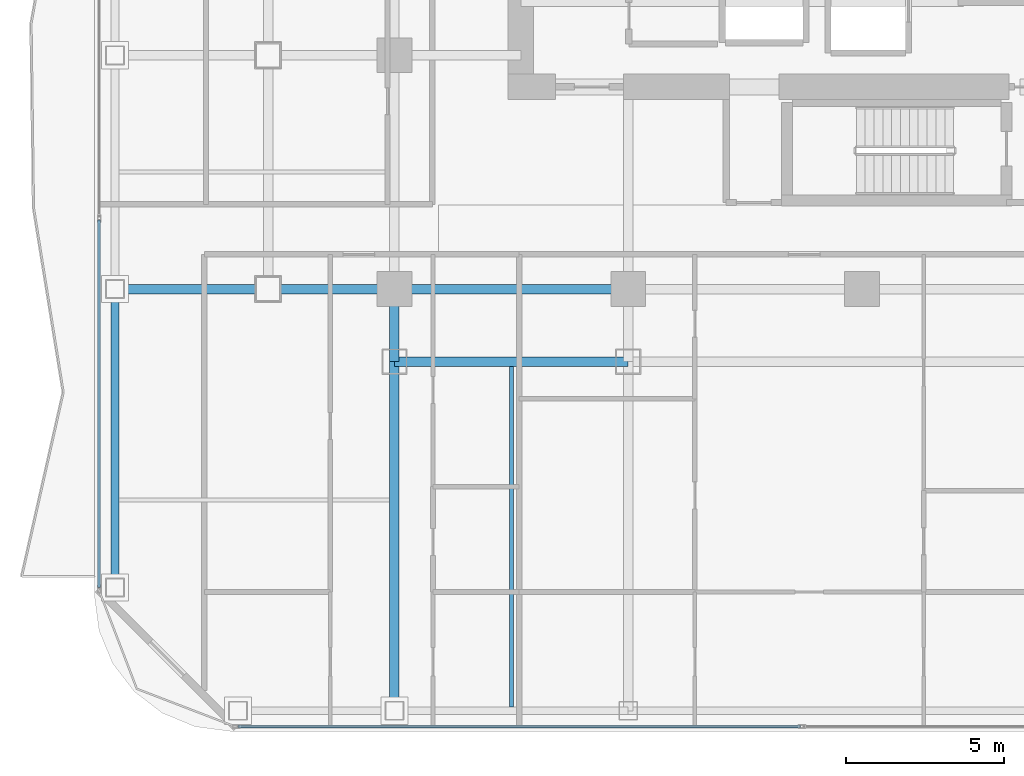
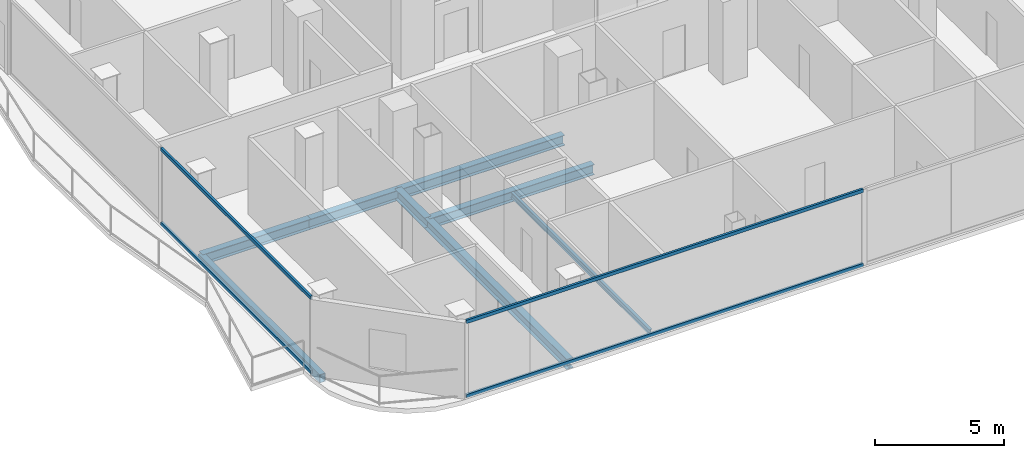
# One storey, part 3 of 24: 8 beams, 4 members, 2 elements without a shape of their own.
"""IFC4 building model written with IfcOpenShell, lengths in metres."""

from ifc_helpers import new_model, si_unit, direction, frame, origin, origin_2d, place, context, subcontext, project, spatial, hollow_rectangle, i_section, extrude, material, layer, layer_set, material_profile, profile_set, type_object, element, aggregate, save


model = new_model("IFC4")

# Units and contexts
model_context = context("Model", 3, precision=1e-05, world=origin(), true_north=direction((0.0, 1.0)))
body_context = subcontext(model_context, "Body", "Model", "MODEL_VIEW")
ifc_project = project(units=[si_unit("LENGTHUNIT", "METRE"), si_unit("AREAUNIT", "SQUARE_METRE"), si_unit("VOLUMEUNIT", "CUBIC_METRE"), si_unit("PLANEANGLEUNIT", "RADIAN"), si_unit("MASSUNIT", "GRAM", prefix="KILO")], contexts=[model_context])

# Site, building, storey
site_placement = place(None, origin())
site = spatial("IfcSite", under=ifc_project, at=site_placement, CompositionType="ELEMENT")
building_placement = place(site_placement, origin())
building = spatial("IfcBuilding", under=site, at=building_placement, Name="Khorvyn Point Tower", CompositionType="ELEMENT")
storey_placement = place(building_placement, frame((0.0, 0.0, 215.699951171875)))
storey = spatial("IfcBuildingStorey", under=building, at=storey_placement, Name="L53", CompositionType="ELEMENT", Elevation=215.699951171875)

# Curtain wall, members
ifc_material_1 = material(Name="Anodised aluminium 6063-T6 and laminated Low-E glass", Category="aluminium")
ifc_layer = layer(ifc_material_1, 0.18994140625)
ifc_layer_set = layer_set([ifc_layer], Name="Stick-Built Acoustic Curtain Wall CW-SYS-03")
curtain_wall_type = type_object("IfcCurtainWallType", Name="Stick-Built Acoustic Curtain Wall CW-SYS-03", PredefinedType="NOTDEFINED", material=ifc_layer_set)
curtain_wall_1_placement = place(storey_placement, origin())
curtain_wall_1 = element("IfcCurtainWall", 1, at=curtain_wall_1_placement, inside=storey, type_object=curtain_wall_type, Name="Curtain Wall", PredefinedType="NOTDEFINED")
ifc_material_2 = material(Name="Anodised aluminium 6063-T6", Category="aluminium")
ifc_material_profile_1 = material_profile(ifc_material_2, hollow_rectangle(XDim=0.10009765625, YDim=0.159912109375, WallThickness=0.00439453125, at=origin_2d()))
ifc_profile_set_1 = profile_set([ifc_material_profile_1], Name="Anodised aluminium 6063-T6 ALU-TRN-100x160")
member_type = type_object("IfcMemberType", Name="Anodised Aluminium 6063-T6 Transom ALU-TRN-100x160", PredefinedType="USERDEFINED", material=ifc_profile_set_1)
member_1_placement = place(storey_placement, frame((-1.949951171875, -28.64990234375, 0.050048828125), z_axis=(-1.0, 0.0, 0.0), x_axis=(0.0, -1.0, 0.0)))
member_1 = element("IfcMember", 2, at=member_1_placement, type_object=member_type, Name="Transom", ObjectType="TRANSOM", PredefinedType="USERDEFINED", context=body_context, shape_type="SweptSolid", body=[
    extrude(hollow_rectangle(XDim=0.10009765625, YDim=0.159912109375, WallThickness=0.00439453125, at=origin_2d()), origin(), (0.0, 0.0, 1.0), 17.800048828125),
])
member_2_placement = place(storey_placement, frame((-1.949951171875, -28.64990234375, 3.570068359375), z_axis=(-1.0, 0.0, 0.0), x_axis=(0.0, -1.0, 0.0)))
member_2 = element("IfcMember", 3, at=member_2_placement, type_object=member_type, Name="Transom", ObjectType="TRANSOM", PredefinedType="USERDEFINED", context=body_context, shape_type="SweptSolid", body=[
    extrude(hollow_rectangle(XDim=0.10009765625, YDim=0.159912109375, WallThickness=0.00439453125, at=origin_2d()), origin(), (0.0, 0.0, 1.0), 17.800048828125),
])
aggregate(curtain_wall_1, [member_1, member_2])

curtain_wall_2_placement = place(storey_placement, origin())
curtain_wall_2 = element("IfcCurtainWall", 4, at=curtain_wall_2_placement, inside=storey, type_object=curtain_wall_type, Name="Curtain Wall", PredefinedType="NOTDEFINED")
member_3_placement = place(storey_placement, frame((-24.14990234375, -24.25, 0.050048828125), z_axis=(0.0, 1.0, 0.0), x_axis=(-1.0, 0.0, 0.0)))
member_3 = element("IfcMember", 5, at=member_3_placement, type_object=member_type, Name="Transom", ObjectType="TRANSOM", PredefinedType="USERDEFINED", context=body_context, shape_type="SweptSolid", body=[
    extrude(hollow_rectangle(XDim=0.10009765625, YDim=0.159912109375, WallThickness=0.00439453125, at=origin_2d()), origin(), (0.0, 0.0, 1.0), 11.633544921875),
])
member_4_placement = place(storey_placement, frame((-24.14990234375, -24.25, 3.570068359375), z_axis=(0.0, 1.0, 0.0), x_axis=(-1.0, 0.0, 0.0)))
member_4 = element("IfcMember", 6, at=member_4_placement, type_object=member_type, Name="Transom", ObjectType="TRANSOM", PredefinedType="USERDEFINED", context=body_context, shape_type="SweptSolid", body=[
    extrude(hollow_rectangle(XDim=0.10009765625, YDim=0.159912109375, WallThickness=0.00439453125, at=origin_2d()), origin(), (0.0, 0.0, 1.0), 11.633544921875),
])
aggregate(curtain_wall_2, [member_3, member_4])

# Beams
ifc_material_3 = material(Name="Steel S355", Category="steel")
ifc_material_profile_2 = material_profile(ifc_material_3, i_section(OverallWidth=0.125, OverallDepth=0.25, WebThickness=0.006103515625, FlangeThickness=0.009033203125, at=origin_2d()))
ifc_profile_set_2 = profile_set([ifc_material_profile_2], Name="Steel S355 H250x125x6x9")
beam_type_1 = type_object("IfcBeamType", Name="Steel S355 Joist H250x125x6x9", PredefinedType="JOIST", material=ifc_profile_set_2)
beam_1_placement = place(storey_placement, frame((-11.10009765625, -28.02490234375, -0.344970703125), z_axis=(0.0, 1.0, 0.0), x_axis=(-1.0, 0.0, 0.0)))
element("IfcBeam", 7, at=beam_1_placement, inside=storey, type_object=beam_type_1, Name="Beam", PredefinedType="JOIST", context=body_context, shape_type="SweptSolid", body=[
    extrude(i_section(OverallWidth=0.125, OverallDepth=0.25, WebThickness=0.006103515625, FlangeThickness=0.009033203125, at=origin_2d()), origin(), (0.0, 0.0, 1.0), 10.77490234375),
])
ifc_material_profile_3 = material_profile(ifc_material_3, i_section(OverallWidth=0.300048828125, OverallDepth=0.488037109375, WebThickness=0.010986328125, FlangeThickness=0.01806640625, at=origin_2d()))
ifc_profile_set_3 = profile_set([ifc_material_profile_3], Name="Steel S355 H488x300x11x18")
beam_type_2 = type_object("IfcBeamType", Name="Steel S355 Spandrel H488x300x11x18", PredefinedType="SPANDREL", material=ifc_profile_set_3)
beam_2_placement = place(storey_placement, frame((-23.64990234375, -14.800048828125, -0.4638671875), z_axis=(1.0, 0.0, 0.0), x_axis=(0.0, 1.0, 0.0)))
element("IfcBeam", 8, at=beam_2_placement, inside=storey, type_object=beam_type_2, Name="Beam", PredefinedType="SPANDREL", context=body_context, shape_type="SweptSolid", body=[
    extrude(i_section(OverallWidth=0.300048828125, OverallDepth=0.488037109375, WebThickness=0.010986328125, FlangeThickness=0.01806640625, at=origin_2d()), origin(), (0.0, 0.0, 1.0), 4.849853515625),
])
beam_3_placement = place(storey_placement, frame((-18.800048828125, -14.800048828125, -0.4638671875), z_axis=(1.0, 0.0, 0.0), x_axis=(0.0, 1.0, 0.0)))
element("IfcBeam", 9, at=beam_3_placement, inside=storey, type_object=beam_type_2, Name="Beam", PredefinedType="SPANDREL", context=body_context, shape_type="SweptSolid", body=[
    extrude(i_section(OverallWidth=0.300048828125, OverallDepth=0.488037109375, WebThickness=0.010986328125, FlangeThickness=0.01806640625, at=origin_2d()), origin(), (0.0, 0.0, 1.0), 4.0),
])
for number, where, z_axis, x_axis, name in (
    (10, (-14.800048828125, -14.800048828125, -0.4638671875), (1.0, 0.0, 0.0), (0.0, 1.0, 0.0), "Beam"),
    (11, (-14.800048828125, -17.10009765625, -0.4638671875), (1.0, 0.0, 0.0), (0.0, 1.0, 0.0), "Beam"),
):
    element("IfcBeam", number, at=place(storey_placement, frame(where, z_axis=z_axis, x_axis=x_axis)), inside=storey, type_object=beam_type_2, Name=name, PredefinedType="SPANDREL", context=body_context, shape_type="SweptSolid", body=[
        extrude(i_section(OverallWidth=0.300048828125, OverallDepth=0.488037109375, WebThickness=0.010986328125, FlangeThickness=0.01806640625, at=origin_2d()), origin(), (0.0, 0.0, 1.0), 7.400146484375),
    ])
beam_4_placement = place(storey_placement, frame((-14.800048828125, -28.14990234375, -0.4638671875), z_axis=(0.0, 1.0, 0.0), x_axis=(-1.0, 0.0, 0.0)))
element("IfcBeam", 12, at=beam_4_placement, inside=storey, type_object=beam_type_2, Name="Beam", PredefinedType="SPANDREL", context=body_context, shape_type="SweptSolid", body=[
    extrude(i_section(OverallWidth=0.300048828125, OverallDepth=0.488037109375, WebThickness=0.010986328125, FlangeThickness=0.01806640625, at=origin_2d()), origin(), (0.0, 0.0, 1.0), 11.0498046875),
])
beam_5_placement = place(storey_placement, frame((-14.800048828125, -17.10009765625, -0.4638671875), z_axis=(0.0, 1.0, 0.0), x_axis=(-1.0, 0.0, 0.0)))
element("IfcBeam", 13, at=beam_5_placement, inside=storey, type_object=beam_type_2, Name="Beam", PredefinedType="SPANDREL", context=body_context, shape_type="SweptSolid", body=[
    extrude(i_section(OverallWidth=0.300048828125, OverallDepth=0.488037109375, WebThickness=0.010986328125, FlangeThickness=0.01806640625, at=origin_2d()), origin(), (0.0, 0.0, 1.0), 2.300048828125),
])
ifc_material_profile_4 = material_profile(ifc_material_3, hollow_rectangle(XDim=0.25, YDim=0.39990234375, WallThickness=0.01611328125, at=origin_2d()))
ifc_profile_set_4 = profile_set([ifc_material_profile_4], Name="Steel S355 RHS400x250x16")
beam_type_3 = type_object("IfcBeamType", Name="Steel S355 Spandrel RHS400x250x16", PredefinedType="SPANDREL", material=ifc_profile_set_4)
beam_6_placement = place(storey_placement, frame((-23.64990234375, -24.25, -0.419921875), z_axis=(0.0, 1.0, 0.0), x_axis=(-1.0, 0.0, 0.0)))
element("IfcBeam", 14, at=beam_6_placement, inside=storey, type_object=beam_type_3, Name="Beam", PredefinedType="SPANDREL", context=body_context, shape_type="SweptSolid", body=[
    extrude(hollow_rectangle(XDim=0.25, YDim=0.39990234375, WallThickness=0.01611328125, at=origin_2d()), origin(), (0.0, 0.0, 1.0), 9.449951171875),
])

save(model, "model.ifc")
